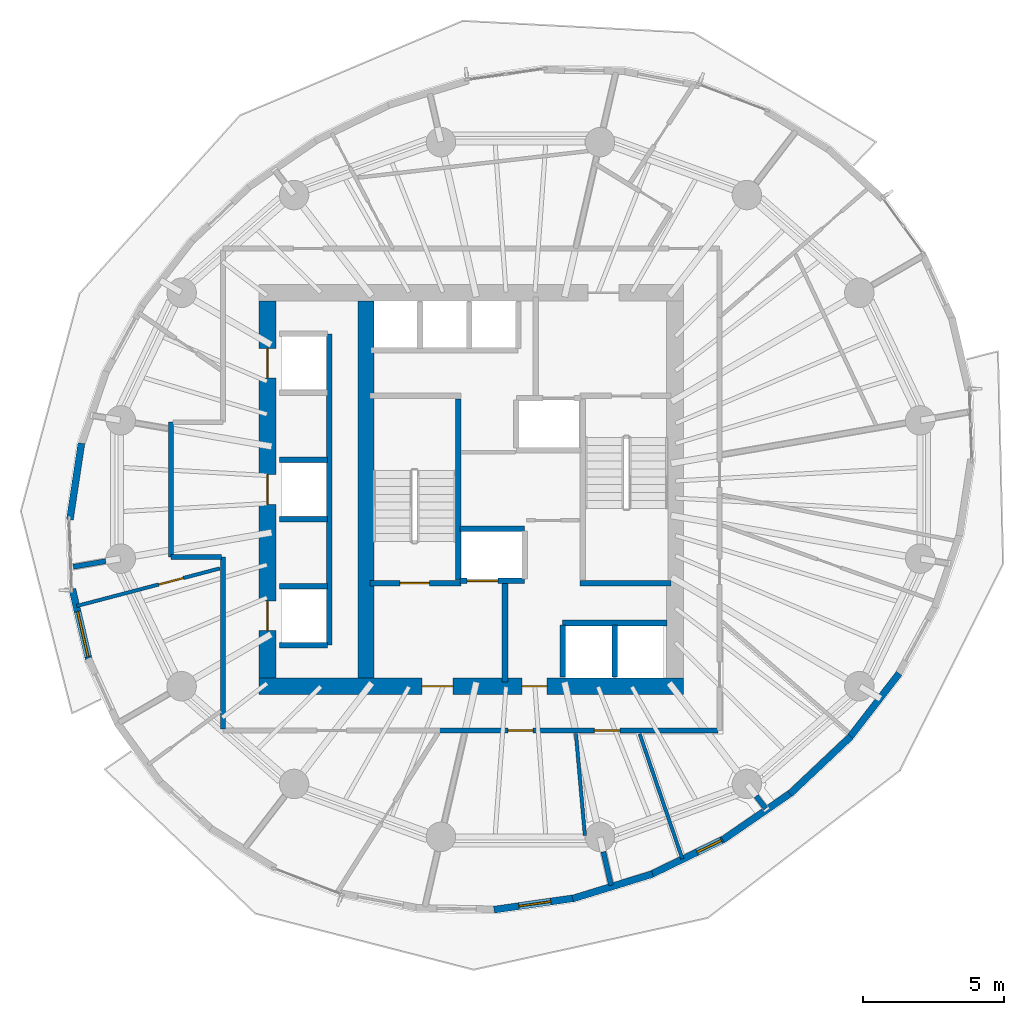
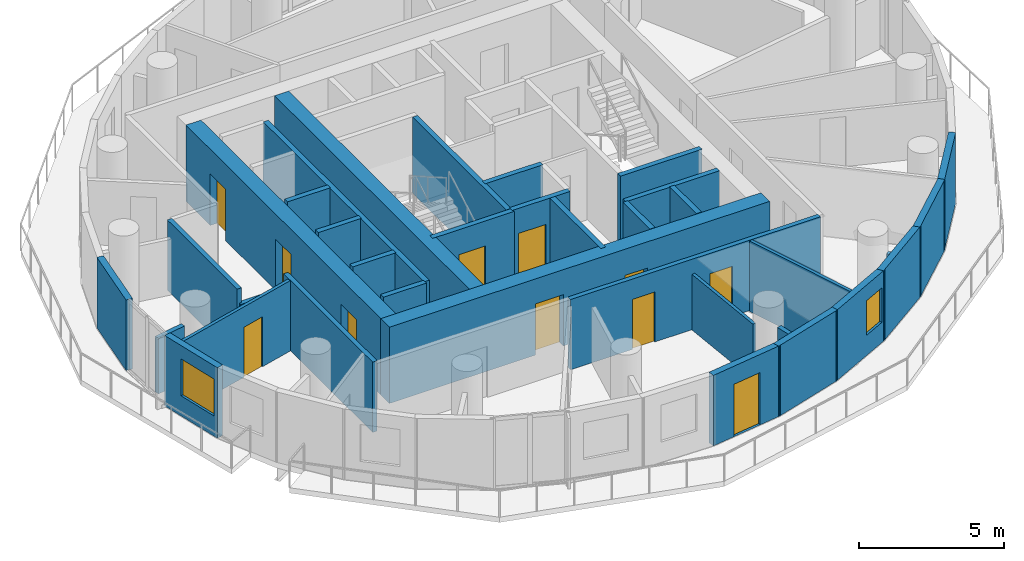
# One storey, part 6 of 14: 35 walls, 11 doors, 2 windows, 13 openings.
"""IFC4 building model written with IfcOpenShell, lengths in metres."""

from ifc_helpers import new_model, si_unit, direction, frame, frame_2d, origin, place, context, subcontext, project, spatial, rectangle, extrude, material, layer, layer_set, type_object, element, fill, save


model = new_model("IFC4")

# Units and contexts
model_context = context("Model", 3, precision=1e-05, world=origin(), true_north=direction((0.0, 1.0)))
body_context = subcontext(model_context, "Body", "Model", "MODEL_VIEW")
ifc_project = project(units=[si_unit("LENGTHUNIT", "METRE"), si_unit("AREAUNIT", "SQUARE_METRE"), si_unit("VOLUMEUNIT", "CUBIC_METRE"), si_unit("PLANEANGLEUNIT", "RADIAN"), si_unit("MASSUNIT", "GRAM", prefix="KILO")], contexts=[model_context])

# Site, building, storey
site_placement = place(None, origin())
site = spatial("IfcSite", under=ifc_project, at=site_placement, CompositionType="ELEMENT")
building_placement = place(site_placement, origin())
building = spatial("IfcBuilding", under=site, at=building_placement, Name="Veldorim Arch Residences", CompositionType="ELEMENT")
storey_placement = place(building_placement, frame((0.0, 0.0, 123.360107421875)))
storey = spatial("IfcBuildingStorey", under=building, at=storey_placement, Name="L36", CompositionType="ELEMENT", Elevation=123.360107421875)

# Walls
ifc_material_1 = material(Name="Acoustic Gypsum Board", Category="gypsum")
ifc_layer_1 = layer(ifc_material_1, 0.125, Name="Acoustic Stud Room Partition Wall 125")
ifc_layer_set_1 = layer_set([ifc_layer_1], Name="Acoustic Gypsum Board")
wall_type_1 = type_object("IfcWallType", Name="Acoustic Stud Room Partition Wall 125", PredefinedType="PARTITIONING", material=ifc_layer_set_1)
wall_1_placement = place(storey_placement, frame((37.760498046875, 10.858154296875, 0.0), z_axis=(0.0, 0.0, 1.0), x_axis=(-0.323447862149, 0.946245993635, 0.0)))
element("IfcWall", 1, at=wall_1_placement, inside=storey, type_object=wall_type_1, Name="L36 interior wall WL-RES-L36-015", PredefinedType="PARTITIONING", context=body_context, shape_type="SweptSolid", body=[
    extrude(rectangle(XDim=4.700927734375, YDim=0.125, at=frame_2d((2.3505859375, 0.0))), origin(), (0.0, 0.0, 1.0), 2.954833984375),
])
wall_2_placement = place(storey_placement, frame((34.293212890625, 11.68896484375, 0.0), z_axis=(0.0, 0.0, 1.0), x_axis=(-0.088065804539, 0.996114659098, 0.0)))
element("IfcWall", 2, at=wall_2_placement, inside=storey, type_object=wall_type_1, Name="L36 interior wall WL-RES-L36-016", PredefinedType="PARTITIONING", context=body_context, shape_type="SweptSolid", body=[
    extrude(rectangle(XDim=3.6455078125, YDim=0.125, at=frame_2d((1.82275390625, 0.0))), origin(), (0.0, 0.0, 1.0), 2.335693359375),
])

# Wall, opening, door
wall_3_placement = place(storey_placement, frame((16.20947265625, 19.85400390625, 0.0), z_axis=(0.0, 0.0, 1.0), x_axis=(0.967214885104, 0.253959378707, 0.0)))
wall_3 = element("IfcWall", 3, at=wall_3_placement, inside=storey, type_object=wall_type_1, Name="L36 interior wall WL-RES-L36-032", PredefinedType="PARTITIONING", context=body_context, shape_type="SweptSolid", body=[
    extrude(rectangle(XDim=5.26708984375, YDim=0.125, at=frame_2d((2.633544921875, 0.0))), origin(), (0.0, 0.0, 1.0), 2.954833984375),
])
opening_1_placement = place(wall_3_placement, frame((3.023681640625, 0.0, 0.0)))
opening_1 = element("IfcOpeningElement", 4, at=opening_1_placement, cuts=wall_3, Name="Opening DR-INT", PredefinedType="OPENING", context=body_context, shape_type="SweptSolid", body=[
    extrude(rectangle(XDim=0.89990234375, YDim=2.10009765625, at=frame_2d((0.449951171875, 1.050048828125))), frame((0.0, 0.072509765625, 0.0), z_axis=(0.0, -1.0, 0.0), x_axis=(1.0, 0.0, 0.0)), (0.0, 0.0, 1.0), 0.14501953125),
])
ifc_material_2 = material(Name="Engineered Timber", Category="wood")
door_type_1 = type_object("IfcDoorType", Name="Apartment Internal Room Timber Door 900x2100", OperationType="SINGLE_SWING_LEFT", PredefinedType="DOOR", material=ifc_material_2)
door_1_placement = place(opening_1_placement, origin())
door_1 = element("IfcDoor", 5, at=door_1_placement, inside=storey, type_object=door_type_1, Name="L36 interior door DR-RES-L36-019", OperationType="SINGLE_SWING_LEFT", OverallHeight=2.10009765625, OverallWidth=0.89990234375, PredefinedType="DOOR", context=body_context, shape_type="SweptSolid", body=[
    extrude(rectangle(XDim=0.89990234375, YDim=2.10009765625, at=frame_2d((0.449951171875, 1.050048828125))), frame((0.0, 0.02490234375, 0.0), z_axis=(0.0, -1.0, 0.0), x_axis=(1.0, 0.0, 0.0)), (0.0, 0.0, 1.0), 0.050048828125),
])
fill(opening_1, door_1)

# Walls
ifc_material_3 = material(Name="Lightweight Masonry Block & Gypsum", Category="masonry")
ifc_layer_2 = layer(ifc_material_3, 0.179931640625, Name="Compartment & Corridor Fire-Rated Party Wall 180")
ifc_layer_set_2 = layer_set([ifc_layer_2], Name="Lightweight Masonry Block & Gypsum")
wall_type_2 = type_object("IfcWallType", Name="Compartment & Corridor Fire-Rated Party Wall 180", PredefinedType="PARTITIONING", material=ifc_layer_set_2)
wall_4_placement = place(storey_placement, frame((17.24169921875, 21.44921875, 0.0), z_axis=(0.0, 0.0, 1.0), x_axis=(-0.98537549431, -0.170396992969, 0.0)))
element("IfcWall", 6, at=wall_4_placement, inside=storey, type_object=wall_type_2, Name="L36 interior wall WL-PIER-L36-09", PredefinedType="PARTITIONING", context=body_context, shape_type="SweptSolid", body=[
    extrude(rectangle(XDim=1.167724609375, YDim=0.179931640625, at=frame_2d((0.583984375, 0.0))), origin(), (0.0, 0.0, 1.0), 2.335693359375),
])
wall_5_placement = place(storey_placement, frame((34.950439453125, 11.11083984375, 0.0), z_axis=(0.0, 0.0, 1.0), x_axis=(0.223107064029, -0.974793946422, 0.0)))
element("IfcWall", 7, at=wall_5_placement, inside=storey, type_object=wall_type_2, Name="L36 interior wall WL-PIER-L36-13", PredefinedType="PARTITIONING", context=body_context, shape_type="SweptSolid", body=[
    extrude(rectangle(XDim=1.22119140625, YDim=0.179931640625, at=frame_2d((0.610595703125, 0.0))), origin(), (0.0, 0.0, 1.0), 2.335693359375),
])
wall_6_placement = place(storey_placement, frame((40.387939453125, 13.091552734375, 0.0), z_axis=(0.0, 0.0, 1.0), x_axis=(0.609498830183, -0.792786967605, 0.0)))
element("IfcWall", 8, at=wall_6_placement, inside=storey, type_object=wall_type_2, Name="L36 interior wall WL-PIER-L36-14", PredefinedType="PARTITIONING", context=body_context, shape_type="SweptSolid", body=[
    extrude(rectangle(XDim=0.556884765625, YDim=0.179931640625, at=frame_2d((0.2783203125, 0.0))), origin(), (0.0, 0.0, 1.0), 2.335693359375),
])

# Wall, openings, doors
wall_7_placement = place(storey_placement, frame((39.02001953125, 15.419921875, 0.0), z_axis=(0.0, 0.0, 1.0), x_axis=(-1.0, 0.0, 0.0)))
wall_7 = element("IfcWall", 9, at=wall_7_placement, inside=storey, type_object=wall_type_2, Name="L36 interior wall WL-RES-L36-002", PredefinedType="PARTITIONING", context=body_context, shape_type="SweptSolid", body=[
    extrude(rectangle(XDim=9.92236328125, YDim=0.179931640625, at=frame_2d((4.961181640625, 0.0))), origin(), (0.0, 0.0, 1.0), 2.954833984375),
])
opening_2_placement = place(wall_7_placement, frame((3.4873046875, 0.0, 0.0)))
opening_2 = element("IfcOpeningElement", 10, at=opening_2_placement, cuts=wall_7, Name="Opening DR-INT", PredefinedType="OPENING", context=body_context, shape_type="SweptSolid", body=[
    extrude(rectangle(XDim=0.89990234375, YDim=2.10009765625, at=frame_2d((0.449951171875, 1.050048828125))), frame((0.0, 0.099853515625, 0.0), z_axis=(0.0, -1.0, 0.0), x_axis=(1.0, 0.0, 0.0)), (0.0, 0.0, 1.0), 0.199951171875),
])
opening_3_placement = place(wall_7_placement, frame((6.570556640625, 0.0, 0.0)))
opening_3 = element("IfcOpeningElement", 11, at=opening_3_placement, cuts=wall_7, Name="Opening DR-INT", PredefinedType="OPENING", context=body_context, shape_type="SweptSolid", body=[
    extrude(rectangle(XDim=0.89990234375, YDim=2.10009765625, at=frame_2d((0.449951171875, 1.050048828125))), frame((0.0, 0.099853515625, 0.0), z_axis=(0.0, -1.0, 0.0), x_axis=(1.0, 0.0, 0.0)), (0.0, 0.0, 1.0), 0.199951171875),
])
door_2_placement = place(opening_2_placement, origin())
door_2 = element("IfcDoor", 12, at=door_2_placement, inside=storey, type_object=door_type_1, Name="L36 interior door DR-RES-L36-003", OperationType="SINGLE_SWING_LEFT", OverallHeight=2.10009765625, OverallWidth=0.89990234375, PredefinedType="DOOR", context=body_context, shape_type="SweptSolid", body=[
    extrude(rectangle(XDim=0.89990234375, YDim=2.10009765625, at=frame_2d((0.449951171875, 1.050048828125))), frame((0.0, 0.02490234375, 0.0), z_axis=(0.0, -1.0, 0.0), x_axis=(1.0, 0.0, 0.0)), (0.0, 0.0, 1.0), 0.050048828125),
])
fill(opening_2, door_2)
door_3_placement = place(opening_3_placement, origin())
door_3 = element("IfcDoor", 13, at=door_3_placement, inside=storey, type_object=door_type_1, Name="L36 interior door DR-RES-L36-004", OperationType="SINGLE_SWING_RIGHT", OverallHeight=2.10009765625, OverallWidth=0.89990234375, PredefinedType="DOOR", context=body_context, shape_type="SweptSolid", body=[
    extrude(rectangle(XDim=0.89990234375, YDim=2.10009765625, at=frame_2d((0.449951171875, 1.050048828125))), frame((0.0, 0.02490234375, 0.0), z_axis=(0.0, -1.0, 0.0), x_axis=(1.0, 0.0, 0.0)), (0.0, 0.0, 1.0), 0.050048828125),
])
fill(opening_3, door_3)

# Walls
wall_8_placement = place(storey_placement, frame((19.570068359375, 21.60009765625, 0.0), z_axis=(0.0, 0.0, 1.0), x_axis=(0.0, 1.0, 0.0)))
element("IfcWall", 14, at=wall_8_placement, inside=storey, type_object=wall_type_2, Name="L36 interior wall WL-RES-L36-008", PredefinedType="PARTITIONING", context=body_context, shape_type="SweptSolid", body=[
    extrude(rectangle(XDim=4.7998046875, YDim=0.179931640625, at=frame_2d((2.39990234375, 0.0))), origin(), (0.0, 0.0, 1.0), 2.954833984375),
])
wall_9_placement = place(storey_placement, frame((21.419921875, 15.47998046875, 0.0), z_axis=(0.0, 0.0, 1.0), x_axis=(0.0, 1.0, 0.0)))
element("IfcWall", 15, at=wall_9_placement, inside=storey, type_object=wall_type_2, Name="L36 interior wall WL-RES-L36-011", PredefinedType="PARTITIONING", context=body_context, shape_type="SweptSolid", body=[
    extrude(rectangle(XDim=6.1201171875, YDim=0.179931640625, at=frame_2d((3.06005859375, 0.0))), origin(), (0.0, 0.0, 1.0), 2.954833984375),
])
wall_10_placement = place(storey_placement, frame((21.360107421875, 21.60009765625, 0.0), z_axis=(0.0, 0.0, 1.0), x_axis=(-1.0, 0.0, 0.0)))
element("IfcWall", 16, at=wall_10_placement, inside=storey, type_object=wall_type_2, Name="L36 interior wall WL-RES-L36-012", PredefinedType="PARTITIONING", context=body_context, shape_type="SweptSolid", body=[
    extrude(rectangle(XDim=1.7900390625, YDim=0.179931640625, at=frame_2d((0.89501953125, 0.0))), origin(), (0.0, 0.0, 1.0), 2.335693359375),
])
ifc_material_4 = material(Name="Concrete C50/60", Category="concrete")
ifc_layer_3 = layer(ifc_material_4, 0.199951171875, Name="Core Stair & Lift Shaft Enclosure Wall 200")
ifc_layer_set_3 = layer_set([ifc_layer_3], Name="Concrete C50/60")
wall_type_3 = type_object("IfcWallType", Name="Core Stair & Lift Shaft Enclosure Wall 200", PredefinedType="SHEAR", material=ifc_layer_set_3)
wall_11_placement = place(storey_placement, frame((29.7900390625, 20.780029296875, 0.0), z_axis=(0.0, 0.0, 1.0), x_axis=(0.0, 1.0, 0.0)))
element("IfcWall", 17, at=wall_11_placement, inside=storey, type_object=wall_type_3, Name="L36 shaft wall WL-SHF-L36-ST1-E", PredefinedType="SHEAR", context=body_context, shape_type="SweptSolid", body=[
    extrude(rectangle(XDim=6.43994140625, YDim=0.199951171875, at=frame_2d((3.219970703125, 0.0))), origin(), (0.0, 0.0, 1.0), 3.199951171875),
])

# Wall, opening, door
wall_12_placement = place(storey_placement, frame((26.64990234375, 20.669921875, 0.0), z_axis=(0.0, 0.0, 1.0), x_axis=(1.0, 0.0, 0.0)))
wall_12 = element("IfcWall", 18, at=wall_12_placement, inside=storey, type_object=wall_type_3, Name="L36 shaft wall WL-SHF-L36-ST1-S", PredefinedType="SHEAR", context=body_context, shape_type="SweptSolid", body=[
    extrude(rectangle(XDim=3.239990234375, YDim=0.199951171875, at=frame_2d((1.6201171875, 0.0))), origin(), (0.0, 0.0, 1.0), 3.199951171875),
])
opening_4_placement = place(wall_12_placement, frame((1.054931640625, 0.0, 0.0)))
opening_4 = element("IfcOpeningElement", 19, at=opening_4_placement, cuts=wall_12, Name="Opening DR-ST", PredefinedType="OPENING", context=body_context, shape_type="SweptSolid", body=[
    extrude(rectangle(XDim=1.050048828125, YDim=2.14990234375, at=frame_2d((0.52490234375, 1.074951171875))), frame((0.0, 0.10986328125, 0.0), z_axis=(0.0, -1.0, 0.0), x_axis=(1.0, 0.0, 0.0)), (0.0, 0.0, 1.0), 0.219970703125),
])
ifc_material_5 = material(Name="Fire-Rated Steel", Category="steel")
door_type_2 = type_object("IfcDoorType", Name="Exit Staircase Self-Closing Fire Door 1050x2150", OperationType="SINGLE_SWING_LEFT", PredefinedType="DOOR", material=ifc_material_5)
door_4_placement = place(opening_4_placement, origin())
door_4 = element("IfcDoor", 20, at=door_4_placement, inside=storey, type_object=door_type_2, Name="L36 interior door DR-L36-ST1", OperationType="SINGLE_SWING_LEFT", OverallHeight=2.14990234375, OverallWidth=1.050048828125, PredefinedType="DOOR", context=body_context, shape_type="SweptSolid", body=[
    extrude(rectangle(XDim=1.050048828125, YDim=2.14990234375, at=frame_2d((0.52490234375, 1.074951171875))), frame((0.0, 0.02490234375, 0.0), z_axis=(0.0, -1.0, 0.0), x_axis=(1.0, 0.0, 0.0)), (0.0, 0.0, 1.0), 0.050048828125),
])
fill(opening_4, door_4)

# Walls
wall_13_placement = place(storey_placement, frame((34.110107421875, 20.669921875, 0.0), z_axis=(0.0, 0.0, 1.0), x_axis=(1.0, 0.0, 0.0)))
element("IfcWall", 21, at=wall_13_placement, inside=storey, type_object=wall_type_3, Name="L36 shaft wall WL-SHF-L36-ST2-S", PredefinedType="SHEAR", context=body_context, shape_type="SweptSolid", body=[
    extrude(rectangle(XDim=3.239990234375, YDim=0.199951171875, at=frame_2d((1.6201171875, 0.0))), origin(), (0.0, 0.0, 1.0), 3.199951171875),
])
wall_14_placement = place(storey_placement, frame((31.449951171875, 17.14990234375, 0.0), z_axis=(0.0, 0.0, 1.0), x_axis=(0.0, 1.0, 0.0)))
element("IfcWall", 22, at=wall_14_placement, inside=storey, type_object=wall_type_3, Name="L36 shaft wall WL-FFL1-L36-E", PredefinedType="SHEAR", context=body_context, shape_type="SweptSolid", body=[
    extrude(rectangle(XDim=3.5, YDim=0.199951171875, at=frame_2d((1.75, 0.0))), origin(), (0.0, 0.0, 1.0), 3.199951171875),
])

# Wall, opening, door
wall_15_placement = place(storey_placement, frame((29.85009765625, 20.75, 0.0), z_axis=(0.0, 0.0, 1.0), x_axis=(1.0, 0.0, 0.0)))
wall_15 = element("IfcWall", 23, at=wall_15_placement, inside=storey, type_object=wall_type_3, Name="L36 shaft wall WL-FL01-L36-S", PredefinedType="SHEAR", context=body_context, shape_type="SweptSolid", body=[
    extrude(rectangle(XDim=2.2998046875, YDim=0.199951171875, at=frame_2d((1.14990234375, 0.0))), origin(), (0.0, 0.0, 1.0), 3.199951171875),
])
opening_5_placement = place(wall_15_placement, frame((0.25, 0.0, 0.0)))
opening_5 = element("IfcOpeningElement", 24, at=opening_5_placement, cuts=wall_15, Name="Opening LD-FF", PredefinedType="OPENING", context=body_context, shape_type="SweptSolid", body=[
    extrude(rectangle(XDim=1.10009765625, YDim=2.14990234375, at=frame_2d((0.550048828125, 1.074951171875))), frame((0.0, 0.10986328125, 0.0), z_axis=(0.0, -1.0, 0.0), x_axis=(1.0, 0.0, 0.0)), (0.0, 0.0, 1.0), 0.219970703125),
])
ifc_material_6 = material(Name="Stainless Steel", Category="steel")
door_type_3 = type_object("IfcDoorType", Name="Firefighting Lift Bi-Parting Sliding Landing Door 1100x2150", OperationType="DOUBLE_DOOR_SLIDING", PredefinedType="DOOR", material=ifc_material_6)
door_5_placement = place(opening_5_placement, origin())
door_5 = element("IfcDoor", 25, at=door_5_placement, inside=storey, type_object=door_type_3, Name="L36 lift landing door LD-L36-FL01", OperationType="DOUBLE_DOOR_SLIDING", OverallHeight=2.14990234375, OverallWidth=1.10009765625, PredefinedType="DOOR", context=body_context, shape_type="SweptSolid", body=[
    extrude(rectangle(XDim=1.10009765625, YDim=2.14990234375, at=frame_2d((0.550048828125, 1.074951171875))), frame((0.0, 0.02490234375, 0.0), z_axis=(0.0, -1.0, 0.0), x_axis=(1.0, 0.0, 0.0)), (0.0, 0.0, 1.0), 0.050048828125),
])
fill(opening_5, door_5)

# Walls
wall_16_placement = place(storey_placement, frame((29.85009765625, 22.60009765625, 0.0), z_axis=(0.0, 0.0, 1.0), x_axis=(1.0, 0.0, 0.0)))
element("IfcWall", 26, at=wall_16_placement, inside=storey, type_object=wall_type_3, Name="L36 shaft wall WL-FL01-L36-N", PredefinedType="SHEAR", context=body_context, shape_type="SweptSolid", body=[
    extrude(rectangle(XDim=2.2998046875, YDim=0.199951171875, at=frame_2d((1.14990234375, 0.0))), origin(), (0.0, 0.0, 1.0), 3.199951171875),
])
wall_17_placement = place(storey_placement, frame((25.199951171875, 18.4599609375, 0.0), z_axis=(0.0, 0.0, 1.0), x_axis=(0.0, 1.0, 0.0)))
element("IfcWall", 27, at=wall_17_placement, inside=storey, type_object=wall_type_3, Name="L36 shaft wall WL-B2-L36-E", PredefinedType="SHEAR", context=body_context, shape_type="SweptSolid", body=[
    extrude(rectangle(XDim=11.080078125, YDim=0.199951171875, at=frame_2d((5.5400390625, 0.0))), origin(), (0.0, 0.0, 1.0), 3.199951171875),
])
for number, where, z_axis, x_axis, name in (
    (28, (23.419921875, 18.4599609375, 0.0), (0.0, 0.0, 1.0), (1.0, 0.0, 0.0), "L36 shaft wall WL-B2-L36-S"),
    (29, (23.419921875, 20.56005859375, 0.0), (0.0, 0.0, 1.0), (1.0, 0.0, 0.0), "L36 shaft wall WL-B2-L36-D1A"),
    (30, (23.419921875, 22.93994140625, 0.0), (0.0, 0.0, 1.0), (1.0, 0.0, 0.0), "L36 shaft wall WL-B2-L36-D1B"),
    (31, (23.419921875, 25.06005859375, 0.0), (0.0, 0.0, 1.0), (1.0, 0.0, 0.0), "L36 shaft wall WL-B2-L36-D2A"),
):
    element("IfcWall", number, at=place(storey_placement, frame(where, z_axis=z_axis, x_axis=x_axis)), inside=storey, type_object=wall_type_3, Name=name, PredefinedType="SHEAR", context=body_context, shape_type="SweptSolid", body=[
        extrude(rectangle(XDim=1.7099609375, YDim=0.199951171875, at=frame_2d((0.85498046875, 0.0))), origin(), (0.0, 0.0, 1.0), 3.199951171875),
    ])
wall_18_placement = place(storey_placement, frame((33.5, 19.25, 0.0), z_axis=(0.0, 0.0, 1.0), x_axis=(1.0, 0.0, 0.0)))
element("IfcWall", 32, at=wall_18_placement, inside=storey, type_object=wall_type_3, Name="L36 shaft wall WL-OL-L36-N", PredefinedType="SHEAR", context=body_context, shape_type="SweptSolid", body=[
    extrude(rectangle(XDim=3.719970703125, YDim=0.199951171875, at=frame_2d((1.85986328125, 0.0))), origin(), (0.0, 0.0, 1.0), 3.199951171875),
])
for number, where, z_axis, x_axis, name in (
    (33, (33.5, 17.320068359375, 0.0), (0.0, 0.0, 1.0), (0.0, 1.0, 0.0), "L36 shaft wall WL-OL-L36-W"),
    (34, (35.35009765625, 17.320068359375, 0.0), (0.0, 0.0, 1.0), (0.0, 1.0, 0.0), "L36 shaft wall WL-OL-L36-D1"),
):
    element("IfcWall", number, at=place(storey_placement, frame(where, z_axis=z_axis, x_axis=x_axis)), inside=storey, type_object=wall_type_3, Name=name, PredefinedType="SHEAR", context=body_context, shape_type="SweptSolid", body=[
        extrude(rectangle(XDim=1.85986328125, YDim=0.199951171875, at=frame_2d((0.929931640625, 0.0))), origin(), (0.0, 0.0, 1.0), 3.199951171875),
    ])

# Wall, openings, doors
ifc_material_7 = material(Name="Concrete C50/60", Category="concrete")
ifc_layer_4 = layer(ifc_material_7, 0.60009765625, Name="Mid-Upper Central Core Shear Wall 600")
ifc_layer_set_4 = layer_set([ifc_layer_4], Name="Concrete C50/60")
wall_type_4 = type_object("IfcWallType", Name="Mid-Upper Central Core Shear Wall 600", PredefinedType="SHEAR", material=ifc_layer_set_4)
wall_19_placement = place(storey_placement, frame((22.699951171875, 17.0, 0.0), z_axis=(0.0, 0.0, 1.0), x_axis=(1.0, 0.0, 0.0)))
wall_19 = element("IfcWall", 35, at=wall_19_placement, inside=storey, type_object=wall_type_4, Name="L36 central core south shear wall", PredefinedType="SHEAR", context=body_context, shape_type="SweptSolid", body=[
    extrude(rectangle(XDim=15.10009765625, YDim=0.60009765625, at=frame_2d((7.550048828125, 0.0))), origin(), (0.0, 0.0, 1.0), 3.199951171875),
])
opening_6_placement = place(wall_19_placement, frame((5.800048828125, 0.0, 0.0)))
opening_6 = element("IfcOpeningElement", 36, at=opening_6_placement, cuts=wall_19, Name="Opening DR-FFL", PredefinedType="OPENING", context=body_context, shape_type="SweptSolid", body=[
    extrude(rectangle(XDim=1.10009765625, YDim=2.14990234375, at=frame_2d((0.550048828125, 1.074951171875))), frame((0.0, 0.31005859375, 0.0), z_axis=(0.0, -1.0, 0.0), x_axis=(1.0, 0.0, 0.0)), (0.0, 0.0, 1.0), 0.6201171875),
])
opening_7_placement = place(wall_19_placement, frame((9.35009765625, 0.0, 0.0)))
opening_7 = element("IfcOpeningElement", 37, at=opening_7_placement, cuts=wall_19, Name="Opening DR-SVC", PredefinedType="OPENING", context=body_context, shape_type="SweptSolid", body=[
    extrude(rectangle(XDim=0.89990234375, YDim=2.10009765625, at=frame_2d((0.449951171875, 1.050048828125))), frame((0.0, 0.31005859375, 0.0), z_axis=(0.0, -1.0, 0.0), x_axis=(1.0, 0.0, 0.0)), (0.0, 0.0, 1.0), 0.6201171875),
])
ifc_material_8 = material(Name="Fire-Rated Steel & Vision Glass", Category="steel")
door_type_4 = type_object("IfcDoorType", Name="Firefighting Lobby Smoke-Stop Fire Door 1100x2150", OperationType="SINGLE_SWING_LEFT", PredefinedType="DOOR", material=ifc_material_8)
door_6_placement = place(opening_6_placement, origin())
door_6 = element("IfcDoor", 38, at=door_6_placement, inside=storey, type_object=door_type_4, Name="L36 interior door DR-L36-FFL1", OperationType="SINGLE_SWING_RIGHT", OverallHeight=2.14990234375, OverallWidth=1.10009765625, PredefinedType="DOOR", context=body_context, shape_type="SweptSolid", body=[
    extrude(rectangle(XDim=1.10009765625, YDim=2.14990234375, at=frame_2d((0.550048828125, 1.074951171875))), frame((0.0, 0.02490234375, 0.0), z_axis=(0.0, -1.0, 0.0), x_axis=(1.0, 0.0, 0.0)), (0.0, 0.0, 1.0), 0.050048828125),
])
fill(opening_6, door_6)
ifc_material_9 = material(Name="Fire-Rated Steel", Category="steel")
door_type_5 = type_object("IfcDoorType", Name="Riser, Shelter & Plant Room Rated Steel Door 900x2100", OperationType="SINGLE_SWING_LEFT", PredefinedType="DOOR", material=ifc_material_9)
door_7_placement = place(opening_7_placement, origin())
door_7 = element("IfcDoor", 39, at=door_7_placement, inside=storey, type_object=door_type_5, Name="L36 interior door DR-L36-COR-ANC", OperationType="SINGLE_SWING_LEFT", OverallHeight=2.10009765625, OverallWidth=0.89990234375, PredefinedType="DOOR", context=body_context, shape_type="SweptSolid", body=[
    extrude(rectangle(XDim=0.89990234375, YDim=2.10009765625, at=frame_2d((0.449951171875, 1.050048828125))), frame((0.0, 0.02490234375, 0.0), z_axis=(0.0, -1.0, 0.0), x_axis=(1.0, 0.0, 0.0)), (0.0, 0.0, 1.0), 0.050048828125),
])
fill(opening_7, door_7)

wall_20_placement = place(storey_placement, frame((23.0, 17.300048828125, 0.0), z_axis=(0.0, 0.0, 1.0), x_axis=(0.0, 1.0, 0.0)))
wall_20 = element("IfcWall", 40, at=wall_20_placement, inside=storey, type_object=wall_type_4, Name="L36 central core west shear wall", PredefinedType="SHEAR", context=body_context, shape_type="SweptSolid", body=[
    extrude(rectangle(XDim=13.39990234375, YDim=0.60009765625, at=frame_2d((6.699951171875, 0.0))), origin(), (0.0, 0.0, 1.0), 3.199951171875),
])
opening_8_placement = place(wall_20_placement, frame((1.675048828125, 0.0, 0.0)))
opening_8 = element("IfcOpeningElement", 41, at=opening_8_placement, cuts=wall_20, Name="Opening LD-PS", PredefinedType="OPENING", context=body_context, shape_type="SweptSolid", body=[
    extrude(rectangle(XDim=1.050048828125, YDim=2.14990234375, at=frame_2d((0.52490234375, 1.074951171875))), frame((0.0, 0.31005859375, 0.0), z_axis=(0.0, -1.0, 0.0), x_axis=(1.0, 0.0, 0.0)), (0.0, 0.0, 1.0), 0.6201171875),
])
opening_9_placement = place(wall_20_placement, frame((6.175048828125, 0.0, 0.0)))
opening_9 = element("IfcOpeningElement", 42, at=opening_9_placement, cuts=wall_20, Name="Opening LD-PS", PredefinedType="OPENING", context=body_context, shape_type="SweptSolid", body=[
    extrude(rectangle(XDim=1.050048828125, YDim=2.14990234375, at=frame_2d((0.52490234375, 1.074951171875))), frame((0.0, 0.31005859375, 0.0), z_axis=(0.0, -1.0, 0.0), x_axis=(1.0, 0.0, 0.0)), (0.0, 0.0, 1.0), 0.6201171875),
])
opening_10_placement = place(wall_20_placement, frame((10.675048828125, 0.0, 0.0)))
opening_10 = element("IfcOpeningElement", 43, at=opening_10_placement, cuts=wall_20, Name="Opening LD-PS", PredefinedType="OPENING", context=body_context, shape_type="SweptSolid", body=[
    extrude(rectangle(XDim=1.050048828125, YDim=2.14990234375, at=frame_2d((0.52490234375, 1.074951171875))), frame((0.0, 0.31005859375, 0.0), z_axis=(0.0, -1.0, 0.0), x_axis=(1.0, 0.0, 0.0)), (0.0, 0.0, 1.0), 0.6201171875),
])
ifc_material_10 = material(Name="Stainless Steel", Category="steel")
door_type_6 = type_object("IfcDoorType", Name="Passenger Lift Bi-Parting Sliding Landing Door 1050x2150", OperationType="DOUBLE_DOOR_SLIDING", PredefinedType="DOOR", material=ifc_material_10)
door_8_placement = place(opening_8_placement, origin())
door_8 = element("IfcDoor", 44, at=door_8_placement, inside=storey, type_object=door_type_6, Name="L36 lift landing door LD-L36-PL-05", OperationType="DOUBLE_DOOR_SLIDING", OverallHeight=2.14990234375, OverallWidth=1.050048828125, PredefinedType="DOOR", context=body_context, shape_type="SweptSolid", body=[
    extrude(rectangle(XDim=1.050048828125, YDim=2.14990234375, at=frame_2d((0.52490234375, 1.074951171875))), frame((0.0, 0.02490234375, 0.0), z_axis=(0.0, -1.0, 0.0), x_axis=(1.0, 0.0, 0.0)), (0.0, 0.0, 1.0), 0.050048828125),
])
fill(opening_8, door_8)
door_9_placement = place(opening_9_placement, origin())
door_9 = element("IfcDoor", 45, at=door_9_placement, inside=storey, type_object=door_type_6, Name="L36 lift landing door LD-L36-PL-06", OperationType="DOUBLE_DOOR_SLIDING", OverallHeight=2.14990234375, OverallWidth=1.050048828125, PredefinedType="DOOR", context=body_context, shape_type="SweptSolid", body=[
    extrude(rectangle(XDim=1.050048828125, YDim=2.14990234375, at=frame_2d((0.52490234375, 1.074951171875))), frame((0.0, 0.02490234375, 0.0), z_axis=(0.0, -1.0, 0.0), x_axis=(1.0, 0.0, 0.0)), (0.0, 0.0, 1.0), 0.050048828125),
])
fill(opening_9, door_9)
door_10_placement = place(opening_10_placement, origin())
door_10 = element("IfcDoor", 46, at=door_10_placement, inside=storey, type_object=door_type_6, Name="L36 lift landing door LD-L36-PL-07", OperationType="DOUBLE_DOOR_SLIDING", OverallHeight=2.14990234375, OverallWidth=1.050048828125, PredefinedType="DOOR", context=body_context, shape_type="SweptSolid", body=[
    extrude(rectangle(XDim=1.050048828125, YDim=2.14990234375, at=frame_2d((0.52490234375, 1.074951171875))), frame((0.0, 0.02490234375, 0.0), z_axis=(0.0, -1.0, 0.0), x_axis=(1.0, 0.0, 0.0)), (0.0, 0.0, 1.0), 0.050048828125),
])
fill(opening_10, door_10)

# Wall
ifc_material_11 = material(Name="Precast concrete C40/50", Category="concrete")
ifc_layer_5 = layer(ifc_material_11, 0.25, Name="Tower Terracotta Spandrel & Pier Wall 250")
ifc_layer_set_5 = layer_set([ifc_layer_5], Name="Precast concrete C40/50")
wall_type_5 = type_object("IfcWallType", Name="Tower Terracotta Spandrel & Pier Wall 250", PredefinedType="SOLIDWALL", material=ifc_layer_set_5)
wall_21_placement = place(storey_placement, frame((15.966064453125, 22.92529296875, 0.0), z_axis=(0.0, 0.0, 1.0), x_axis=(0.149576734229, 0.988750120393, 0.0)))
element("IfcWall", 47, at=wall_21_placement, inside=storey, type_object=wall_type_5, Name="L36 terracotta facade wall 15", PredefinedType="SOLIDWALL", context=body_context, shape_type="SweptSolid", body=[
    extrude(rectangle(XDim=2.751953125, YDim=0.25, at=frame_2d((1.3759765625, 0.0))), origin(), (0.0, 0.0, 1.0), 2.9599609375),
])

# Wall, opening, window
wall_22_placement = place(storey_placement, frame((16.65380859375, 17.8798828125, 0.0), z_axis=(0.0, 0.0, 1.0), x_axis=(-0.226865331245, 0.973926137589, 0.0)))
wall_22 = element("IfcWall", 48, at=wall_22_placement, inside=storey, type_object=wall_type_5, Name="L36 terracotta facade wall 17", PredefinedType="SOLIDWALL", context=body_context, shape_type="SweptSolid", body=[
    extrude(rectangle(XDim=2.6484375, YDim=0.25, at=frame_2d((1.32421875, 0.0))), origin(), (0.0, 0.0, 1.0), 2.9599609375),
])
opening_11_placement = place(wall_22_placement, frame((0.175048828125, 0.0, 0.85009765625)))
opening_11 = element("IfcOpeningElement", 49, at=opening_11_placement, cuts=wall_22, Name="Opening WN-03", PredefinedType="OPENING", context=body_context, shape_type="SweptSolid", body=[
    extrude(rectangle(XDim=1.64990234375, YDim=1.550048828125, at=frame_2d((0.824951171875, 0.77490234375))), frame((0.0, 0.135009765625, 0.0), z_axis=(0.0, -1.0, 0.0), x_axis=(1.0, 0.0, 0.0)), (0.0, 0.0, 1.0), 0.27001953125),
])
ifc_material_12 = material(Name="Laminated Low-E Glass", Category="glass")
window_type_1 = type_object("IfcWindowType", Name="Residential Wide Window 1650x1550", PartitioningType="SINGLE_PANEL", PredefinedType="WINDOW", material=ifc_material_12)
window_1_placement = place(opening_11_placement, origin())
window_1 = element("IfcWindow", 50, at=window_1_placement, inside=storey, type_object=window_type_1, Name="L36 solar-control facade window 17", OverallHeight=1.550048828125, OverallWidth=1.64990234375, PartitioningType="SINGLE_PANEL", PredefinedType="WINDOW", context=body_context, shape_type="SweptSolid", body=[
    extrude(rectangle(XDim=1.64990234375, YDim=1.550048828125, at=frame_2d((0.824951171875, 0.77490234375))), frame((0.0, 0.030029296875, 0.0), z_axis=(0.0, -1.0, 0.0), x_axis=(1.0, 0.0, 0.0)), (0.0, 0.0, 1.0), 0.06005859375),
])
fill(opening_11, window_1)

# Wall, opening, door
wall_23_placement = place(storey_placement, frame((33.9638671875, 9.4658203125, 0.0), z_axis=(0.0, 0.0, 1.0), x_axis=(-0.989856170947, -0.142073082737, 0.0)))
wall_23 = element("IfcWall", 51, at=wall_23_placement, inside=storey, type_object=wall_type_5, Name="L36 terracotta facade wall 25", PredefinedType="SOLIDWALL", context=body_context, shape_type="SweptSolid", body=[
    extrude(rectangle(XDim=2.936767578125, YDim=0.25, at=frame_2d((1.46826171875, 0.0))), origin(), (0.0, 0.0, 1.0), 2.9599609375),
])
opening_12_placement = place(wall_23_placement, frame((0.89306640625, 0.0, 0.0)))
opening_12 = element("IfcOpeningElement", 52, at=opening_12_placement, cuts=wall_23, Name="Opening BL-DR", PredefinedType="OPENING", context=body_context, shape_type="SweptSolid", body=[
    extrude(rectangle(XDim=1.14990234375, YDim=2.199951171875, at=frame_2d((0.574951171875, 1.10009765625))), frame((0.0, 0.135009765625, 0.0), z_axis=(0.0, -1.0, 0.0), x_axis=(1.0, 0.0, 0.0)), (0.0, 0.0, 1.0), 0.27001953125),
])
ifc_material_13 = material(Name="Aluminium & Low-E Glass", Category="aluminium")
door_type_7 = type_object("IfcDoorType", Name="Glazed Planted Balcony Door 1150x2200", OperationType="SINGLE_SWING_LEFT", PredefinedType="DOOR", material=ifc_material_13)
door_11_placement = place(opening_12_placement, origin())
door_11 = element("IfcDoor", 53, at=door_11_placement, inside=storey, type_object=door_type_7, Name="L36 glazed outdoor terrace door BALC-2", OperationType="SINGLE_SWING_LEFT", OverallHeight=2.199951171875, OverallWidth=1.14990234375, PredefinedType="DOOR", context=body_context, shape_type="SweptSolid", body=[
    extrude(rectangle(XDim=1.14990234375, YDim=2.199951171875, at=frame_2d((0.574951171875, 1.10009765625))), frame((0.0, 0.02490234375, 0.0), z_axis=(0.0, -1.0, 0.0), x_axis=(1.0, 0.0, 0.0)), (0.0, 0.0, 1.0), 0.050048828125),
])
fill(opening_12, door_11)

# Wall
wall_24_placement = place(storey_placement, frame((36.702392578125, 10.318603515625, 0.0), z_axis=(0.0, 0.0, 1.0), x_axis=(-0.955653025963, -0.294494981227, 0.0)))
element("IfcWall", 54, at=wall_24_placement, inside=storey, type_object=wall_type_5, Name="L36 terracotta facade wall 26", PredefinedType="SOLIDWALL", context=body_context, shape_type="SweptSolid", body=[
    extrude(rectangle(XDim=2.97705078125, YDim=0.25, at=frame_2d((1.488525390625, 0.0))), origin(), (0.0, 0.0, 1.0), 2.9599609375),
])

# Wall, opening, window
wall_25_placement = place(storey_placement, frame((39.298583984375, 11.587890625, 0.0), z_axis=(0.0, 0.0, 1.0), x_axis=(-0.899657133161, -0.436597117206, 0.0)))
wall_25 = element("IfcWall", 55, at=wall_25_placement, inside=storey, type_object=wall_type_5, Name="L36 terracotta facade wall 27", PredefinedType="SOLIDWALL", context=body_context, shape_type="SweptSolid", body=[
    extrude(rectangle(XDim=2.998291015625, YDim=0.25, at=frame_2d((1.4990234375, 0.0))), origin(), (0.0, 0.0, 1.0), 2.9599609375),
])
opening_13_placement = place(wall_25_placement, frame((0.175048828125, 0.0, 0.85009765625)))
opening_13 = element("IfcOpeningElement", 56, at=opening_13_placement, cuts=wall_25, Name="Opening WN-05", PredefinedType="OPENING", context=body_context, shape_type="SweptSolid", body=[
    extrude(rectangle(XDim=0.949951171875, YDim=1.449951171875, at=frame_2d((0.47509765625, 0.72509765625))), frame((0.0, 0.135009765625, 0.0), z_axis=(0.0, -1.0, 0.0), x_axis=(1.0, 0.0, 0.0)), (0.0, 0.0, 1.0), 0.27001953125),
])
ifc_material_14 = material(Name="Laminated Low-E Glass", Category="glass")
window_type_2 = type_object("IfcWindowType", Name="Residential Compact Casement Window 950x1450", PartitioningType="SINGLE_PANEL", PredefinedType="WINDOW", material=ifc_material_14)
window_2_placement = place(opening_13_placement, origin())
window_2 = element("IfcWindow", 57, at=window_2_placement, inside=storey, type_object=window_type_2, Name="L36 solar-control facade window 27", OverallHeight=1.449951171875, OverallWidth=0.949951171875, PartitioningType="SINGLE_PANEL", PredefinedType="WINDOW", context=body_context, shape_type="SweptSolid", body=[
    extrude(rectangle(XDim=0.949951171875, YDim=1.449951171875, at=frame_2d((0.47509765625, 0.72509765625))), frame((0.0, 0.030029296875, 0.0), z_axis=(0.0, -1.0, 0.0), x_axis=(1.0, 0.0, 0.0)), (0.0, 0.0, 1.0), 0.06005859375),
])
fill(opening_13, window_2)

# Walls
wall_26_placement = place(storey_placement, frame((41.6728515625, 13.2353515625, 0.0), z_axis=(0.0, 0.0, 1.0), x_axis=(-0.823228532994, -0.567710121863, 0.0)))
element("IfcWall", 58, at=wall_26_placement, inside=storey, type_object=wall_type_5, Name="L36 terracotta facade wall 28", PredefinedType="SOLIDWALL", context=body_context, shape_type="SweptSolid", body=[
    extrude(rectangle(XDim=2.998291015625, YDim=0.25, at=frame_2d((1.4990234375, 0.0))), origin(), (0.0, 0.0, 1.0), 2.9599609375),
])
wall_27_placement = place(storey_placement, frame((43.7529296875, 15.210693359375, 0.0), z_axis=(0.0, 0.0, 1.0), x_axis=(-0.727113217486, -0.686517566386, 0.0)))
element("IfcWall", 59, at=wall_27_placement, inside=storey, type_object=wall_type_5, Name="L36 terracotta facade wall 29", PredefinedType="SOLIDWALL", context=body_context, shape_type="SweptSolid", body=[
    extrude(rectangle(XDim=2.976806640625, YDim=0.25, at=frame_2d((1.48828125, 0.0))), origin(), (0.0, 0.0, 1.0), 2.9599609375),
])
wall_28_placement = place(storey_placement, frame((45.475341796875, 17.45361328125, 0.0), z_axis=(0.0, 0.0, 1.0), x_axis=(-0.611416743811, -0.791308767415, 0.0)))
element("IfcWall", 60, at=wall_28_placement, inside=storey, type_object=wall_type_5, Name="L36 terracotta facade wall 30", PredefinedType="SOLIDWALL", context=body_context, shape_type="SweptSolid", body=[
    extrude(rectangle(XDim=2.936767578125, YDim=0.25, at=frame_2d((1.46826171875, 0.0))), origin(), (0.0, 0.0, 1.0), 2.9599609375),
])
ifc_material_15 = material(Name="Concrete C50/60", Category="concrete")
ifc_layer_6 = layer(ifc_material_15, 0.56005859375, Name="Upper Internal Core Shear Web Wall 560")
ifc_layer_set_6 = layer_set([ifc_layer_6], Name="Concrete C50/60")
wall_type_6 = type_object("IfcWallType", Name="Upper Internal Core Shear Web Wall 560", PredefinedType="SHEAR", material=ifc_layer_set_6)
wall_29_placement = place(storey_placement, frame((26.5, 17.300048828125, 0.0), z_axis=(0.0, 0.0, 1.0), x_axis=(0.0, 1.0, 0.0)))
element("IfcWall", 61, at=wall_29_placement, inside=storey, type_object=wall_type_6, Name="L36 core west internal shear web", PredefinedType="SHEAR", context=body_context, shape_type="SweptSolid", body=[
    extrude(rectangle(XDim=13.39990234375, YDim=0.56005859375, at=frame_2d((6.699951171875, 0.0))), origin(), (0.0, 0.0, 1.0), 3.199951171875),
])

save(model, "model.ifc")
